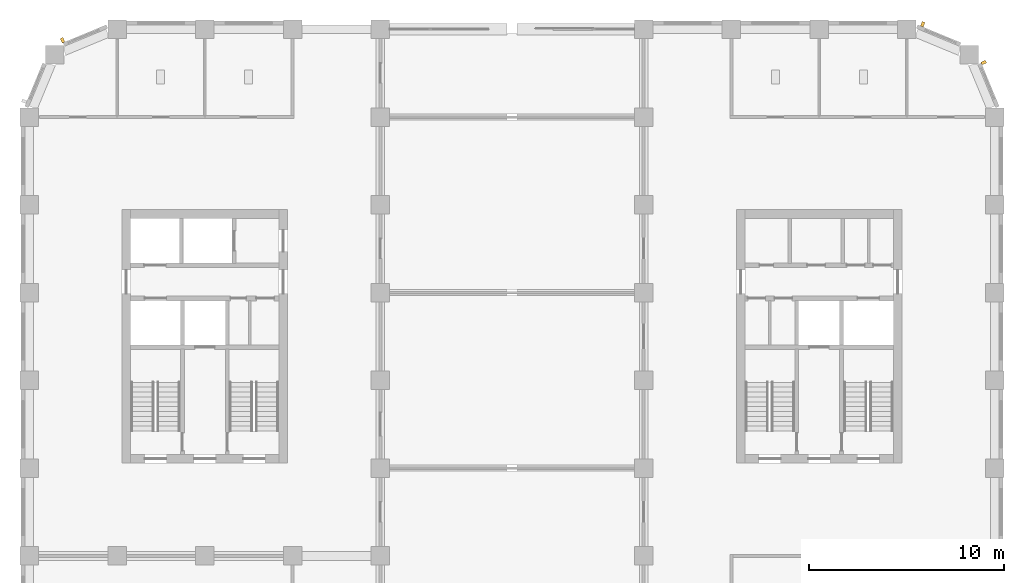
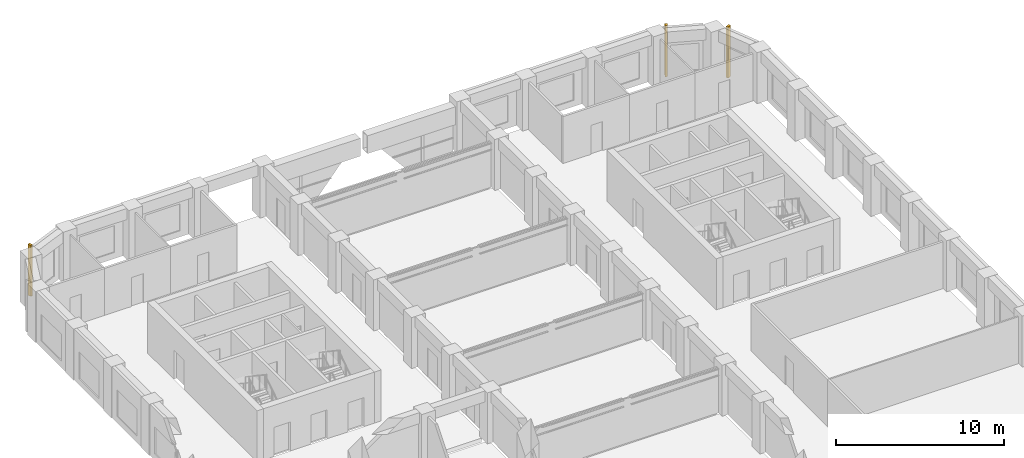
# One storey, part 13 of 14: 3 shading devices.
"""IFC4 building model written with IfcOpenShell, lengths in metres."""

from ifc_helpers import new_model, si_unit, direction, frame, origin, origin_2d, place, context, subcontext, project, spatial, rectangle, extrude, material, type_object, element, save


model = new_model("IFC4")

# Units and contexts
model_context = context("Model", 3, precision=1e-05, world=origin(), true_north=direction((0.0, 1.0)))
body_context = subcontext(model_context, "Body", "Model", "MODEL_VIEW")
ifc_project = project(units=[si_unit("LENGTHUNIT", "METRE"), si_unit("AREAUNIT", "SQUARE_METRE"), si_unit("VOLUMEUNIT", "CUBIC_METRE"), si_unit("PLANEANGLEUNIT", "RADIAN"), si_unit("MASSUNIT", "GRAM", prefix="KILO")], contexts=[model_context])

# Site, building, storey
site_placement = place(None, origin())
site = spatial("IfcSite", under=ifc_project, at=site_placement, CompositionType="ELEMENT")
building_placement = place(site_placement, origin())
building = spatial("IfcBuilding", under=site, at=building_placement, Name="Girih Gate Residences", CompositionType="ELEMENT")
storey_placement = place(building_placement, frame((0.0, 0.0, 172.60009765625)))
storey = spatial("IfcBuildingStorey", under=building, at=storey_placement, Name="L47", CompositionType="ELEMENT", Elevation=172.60009765625)

# Shading devices
ifc_material = material(Name="Precast concrete C50/60", Category="concrete")
shading_device_type = type_object("IfcShadingDeviceType", Name="Corner rib 150x250", PredefinedType="USERDEFINED", material=ifc_material)
for number, where, z_axis, x_axis, name in (
    (1, (48.937744140625, 47.794677734375, 0.0), (0.0, 0.0, 1.0), (-0.382683432365, 0.923879532511, 0.0), "Corner rib NE0495_0450.0"),
    (2, (45.808349609375, 49.760498046875, 0.0), (0.0, 0.0, 1.0), (-0.923879532511, 0.382683432365, 0.0), "Corner rib NE0482_0482.0"),
    (3, (1.705322265625, 48.937744140625, 0.0), (0.0, 0.0, 1.0), (-0.923879532511, -0.382683432365, 0.0), "Corner rib NW0045_0495.0"),
):
    element("IfcShadingDevice", number, at=place(storey_placement, frame(where, z_axis=z_axis, x_axis=x_axis)), inside=storey, type_object=shading_device_type, Name=name, ObjectType="FIN", PredefinedType="USERDEFINED", context=body_context, shape_type="SweptSolid", body=[
        extrude(rectangle(XDim=0.14990234375, YDim=0.25, at=origin_2d()), origin(), (0.0, 0.0, 1.0), 3.699951171875),
    ])

save(model, "model.ifc")
